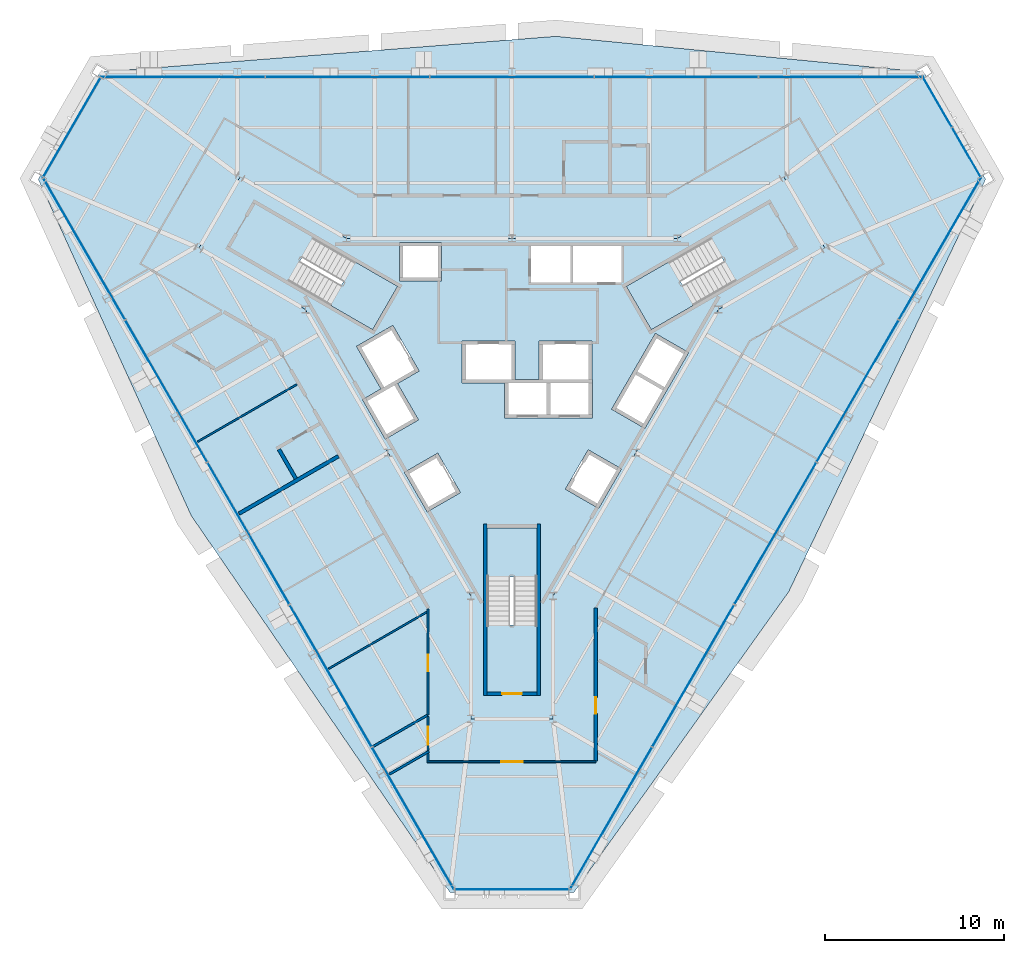
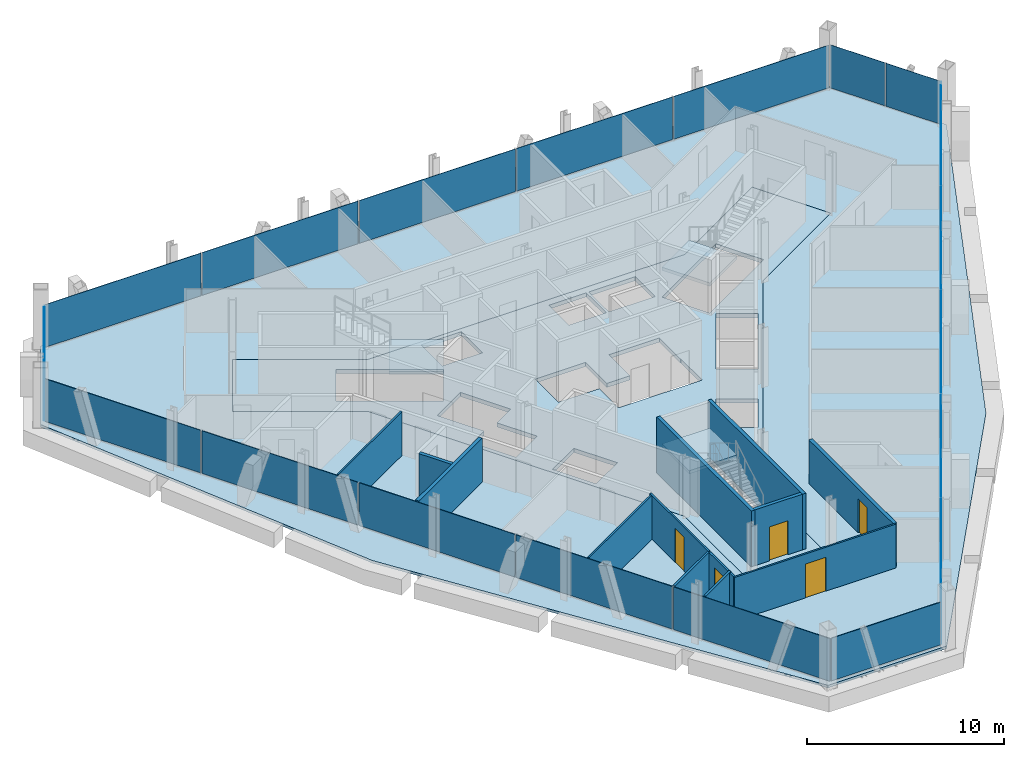
# One storey, part 7 of 13: 19 plates, 14 walls, 5 doors, 5 slabs, 5 openings, 9 elements without a shape of their own.
"""IFC4 building model written with IfcOpenShell, lengths in metres."""

from ifc_helpers import new_model, si_unit, direction, frame, frame_2d, origin, origin_2d, place, context, subcontext, project, spatial, polyline, rectangle, outline, extrude, material, layer, layer_set, type_object, element, fill, aggregate, save


model = new_model("IFC4")

# Units and contexts
model_context = context("Model", 3, precision=1e-05, world=origin(), true_north=direction((0.0, 1.0)))
body_context = subcontext(model_context, "Body", "Model", "MODEL_VIEW")
ifc_project = project(units=[si_unit("LENGTHUNIT", "METRE"), si_unit("AREAUNIT", "SQUARE_METRE"), si_unit("VOLUMEUNIT", "CUBIC_METRE"), si_unit("PLANEANGLEUNIT", "RADIAN"), si_unit("MASSUNIT", "GRAM", prefix="KILO")], contexts=[model_context])

# Site, building, storey
site_placement = place(None, origin())
site = spatial("IfcSite", under=ifc_project, at=site_placement, CompositionType="ELEMENT")
building_placement = place(site_placement, origin())
building = spatial("IfcBuilding", under=site, at=building_placement, Name="Verrane Prism Tower", CompositionType="ELEMENT")
storey_placement = place(building_placement, frame((0.0, 0.0, 163.60009765625)))
storey = spatial("IfcBuildingStorey", under=building, at=storey_placement, Name="L40", CompositionType="ELEMENT", Elevation=163.60009765625)

# Slabs
ifc_material_1 = material(Name="Concrete C35/45", Category="concrete")
ifc_layer_1 = layer(ifc_material_1, 0.159912109375)
ifc_layer_set_1 = layer_set([ifc_layer_1], Name="Composite floor slab")
slab_type_1 = type_object("IfcSlabType", Name="Composite floor slab", PredefinedType="FLOOR", material=ifc_layer_set_1)
slab_1_placement = place(storey_placement, frame((0.0, 0.0, -0.16015625)))
element("IfcSlab", 1, at=slab_1_placement, inside=storey, type_object=slab_type_1, Name="Floor slab L40", PredefinedType="FLOOR", context=body_context, shape_type="SweptSolid", body=[
    extrude(outline(polyline([(15.49365234375, -11.7841796875), (3.467041015625, -28.614990234375), (-3.467041015625, -28.614990234375), (-17.9521484375, -7.52587890625), (-26.514892578125, 11.304931640625), (-23.0478515625, 17.31005859375), (2.45849609375, 19.31005859375), (23.0478515625, 17.31005859375), (26.514892578125, 11.304931640625), (15.49365234375, -11.7841796875)]), holes=[polyline([(17.52001953125, 7.4599609375), (15.219970703125, 11.43994140625), (9.260009765625, 8.0), (0.0, 8.0), (-9.260009765625, 8.0), (-15.219970703125, 11.43994140625), (-17.52001953125, 7.4599609375), (-11.56005859375, 4.02001953125), (-6.929931640625, -4.0), (-2.300048828125, -12.02001953125), (-2.300048828125, -18.89990234375), (2.300048828125, -18.89990234375), (2.300048828125, -12.02001953125), (6.929931640625, -4.0), (11.56005859375, 4.02001953125), (17.52001953125, 7.4599609375)])]), origin(), (0.0, 0.0, 1.0), 0.16015625),
])
ifc_material_2 = material(Name="Concrete C40/50", Category="concrete")
ifc_layer_2 = layer(ifc_material_2, 0.25)
ifc_layer_set_2 = layer_set([ifc_layer_2], Name="Core floor slab 250 concrete C40/50")
slab_type_2 = type_object("IfcSlabType", Name="Core floor slab 250 concrete C40/50", PredefinedType="FLOOR", material=ifc_layer_set_2)
slab_2_placement = place(storey_placement, frame((0.0, 0.0, -0.25)))
element("IfcSlab", 2, at=slab_2_placement, inside=storey, type_object=slab_type_2, Name="Core floor L40", PredefinedType="FLOOR", context=body_context, shape_type="SweptSolid", body=[
    extrude(outline(polyline([(11.56005859375, 4.02001953125), (17.52001953125, 7.4599609375), (15.219970703125, 11.43994140625), (9.260009765625, 8.0), (0.0, 8.0), (-9.260009765625, 8.0), (-15.219970703125, 11.43994140625), (-17.52001953125, 7.4599609375), (-11.56005859375, 4.02001953125), (-6.929931640625, -4.0), (-2.300048828125, -12.02001953125), (-2.300048828125, -18.89990234375), (2.300048828125, -18.89990234375), (2.300048828125, -12.02001953125), (6.929931640625, -4.0), (11.56005859375, 4.02001953125)]), holes=[polyline([(1.39990234375, -8.199951171875), (1.39990234375, -13.639892578125), (-1.39990234375, -13.639892578125), (-1.39990234375, -8.199951171875), (1.39990234375, -8.199951171875)]), polyline([(-2.881103515625, -6.22998046875), (-4.742919921875, -7.304931640625), (-6.01806640625, -5.096923828125), (-4.156005859375, -4.02197265625), (-2.881103515625, -6.22998046875)]), polyline([(-7.801025390625, 2.887939453125), (-12.512939453125, 5.60791015625), (-11.113037109375, 8.031982421875), (-6.40087890625, 5.31201171875), (-7.801025390625, 2.887939453125)]), polyline([(-6.284912109375, 5.610107421875), (-6.284912109375, 7.760009765625), (-3.93505859375, 7.760009765625), (-3.93505859375, 5.610107421875), (-6.284912109375, 5.610107421875)]), polyline([(4.26611328125, -3.8310546875), (6.1279296875, -4.906005859375), (4.85302734375, -7.114990234375), (2.990966796875, -6.0400390625), (4.26611328125, -3.8310546875)]), polyline([(7.43798828125, -2.636962890625), (5.575927734375, -1.56201171875), (8.02587890625, 2.680908203125), (9.887939453125, 1.60595703125), (7.43798828125, -2.636962890625)]), polyline([(0.1650390625, 0.10009765625), (1.52490234375, 0.10009765625), (1.52490234375, 2.25), (4.47509765625, 2.25), (4.47509765625, 0.10009765625), (4.4951171875, 0.10009765625), (4.4951171875, -2.050048828125), (-0.405029296875, -2.050048828125), (-0.405029296875, -0.10009765625), (-2.784912109375, -0.10009765625), (-2.784912109375, 2.25), (0.1650390625, 2.25), (0.1650390625, 0.10009765625)]), polyline([(6.40087890625, 5.31201171875), (11.113037109375, 8.031982421875), (12.512939453125, 5.60791015625), (7.801025390625, 2.887939453125), (6.40087890625, 5.31201171875)]), polyline([(1.074951171875, 5.534912109375), (1.074951171875, 7.56005859375), (3.264892578125, 7.56005859375), (3.264892578125, 5.534912109375), (1.074951171875, 5.534912109375)]), polyline([(3.4150390625, 7.56005859375), (6.125, 7.56005859375), (6.125, 5.534912109375), (3.4150390625, 5.534912109375), (3.4150390625, 7.56005859375)]), polyline([(-5.23095703125, -2.159912109375), (-7.093017578125, -3.235107421875), (-8.367919921875, -1.02587890625), (-7.3291015625, -0.426025390625), (-8.7041015625, 1.955078125), (-6.66796875, 3.1298828125), (-5.193115234375, 0.574951171875), (-6.406005859375, -0.125), (-5.23095703125, -2.159912109375)])]), origin(), (0.0, 0.0, 1.0), 0.25),
])

# Curtain wall, plates
ifc_material_3 = material(Name="Aluminium framed insulated glazing", Category="aluminium")
curtain_wall_type_1 = type_object("IfcCurtainWallType", Name="Curtain wall CW-C 4200 module", PredefinedType="NOTDEFINED", material=ifc_material_3)
curtain_wall_1_placement = place(storey_placement, origin())
curtain_wall_1 = element("IfcCurtainWall", 3, at=curtain_wall_1_placement, inside=storey, type_object=curtain_wall_type_1, Name="Glazed curtain wall north-east corner L40", PredefinedType="NOTDEFINED")
ifc_material_4 = material(Name="Low-iron insulating glass unit", Category="glass")
ifc_layer_3 = layer(ifc_material_4, 0.02392578125)
ifc_layer_set_3 = layer_set([ifc_layer_3], Name="Glazing panel IGU 24")
plate_type_1 = type_object("IfcPlateType", Name="Glazing panel IGU 24", PredefinedType="CURTAIN_PANEL", material=ifc_layer_set_3)
plate_1_placement = place(storey_placement, frame((25.43310546875, 12.823486328125, 0.0498046875), z_axis=(0.0, 0.0, 1.0), x_axis=(-0.50000590643, 0.866021993679, 0.0)))
plate_1 = element("IfcPlate", 4, at=plate_1_placement, type_object=plate_type_1, Name="CW39.1 panel 1", PredefinedType="CURTAIN_PANEL", context=body_context, shape_type="SweptSolid", body=[
    extrude(rectangle(XDim=3.17236328125, YDim=0.02392578125, at=origin_2d()), origin(), (0.0, 0.0, 1.0), 2.662841796875),
])
plate_2_placement = place(storey_placement, frame((23.8095703125, 15.6357421875, 0.0498046875), z_axis=(0.0, 0.0, 1.0), x_axis=(-0.50000590643, 0.866021993679, 0.0)))
plate_2 = element("IfcPlate", 5, at=plate_2_placement, type_object=plate_type_1, Name="CW39.1 panel 2", PredefinedType="CURTAIN_PANEL", context=body_context, shape_type="SweptSolid", body=[
    extrude(rectangle(XDim=3.22216796875, YDim=0.02392578125, at=origin_2d()), origin(), (0.0, 0.0, 1.0), 2.662841796875),
])
aggregate(curtain_wall_1, [plate_1, plate_2])

ifc_material_5 = material(Name="Aluminium framed insulated glazing", Category="aluminium")
curtain_wall_type_2 = type_object("IfcCurtainWallType", Name="Curtain wall CW-A 8400 module", PredefinedType="NOTDEFINED", material=ifc_material_5)
curtain_wall_2_placement = place(storey_placement, origin())
curtain_wall_2 = element("IfcCurtainWall", 6, at=curtain_wall_2_placement, inside=storey, type_object=curtain_wall_type_2, Name="Glazed curtain wall north face L40", PredefinedType="NOTDEFINED")
ifc_material_6 = material(Name="Low-iron insulating glass unit", Category="glass")
ifc_layer_4 = layer(ifc_material_6, 0.031982421875)
ifc_layer_set_4 = layer_set([ifc_layer_4], Name="Glazing panel IGU 32")
plate_type_2 = type_object("IfcPlateType", Name="Glazing panel IGU 32", PredefinedType="CURTAIN_PANEL", material=ifc_layer_set_4)
plate_3_placement = place(storey_placement, frame((18.3857421875, 17.031005859375, 0.06982421875), z_axis=(0.0, 0.0, 1.0), x_axis=(-1.0, 0.0, 0.0)))
plate_3 = element("IfcPlate", 7, at=plate_3_placement, type_object=plate_type_2, Name="CW39.2 panel 1", PredefinedType="CURTAIN_PANEL", context=body_context, shape_type="SweptSolid", body=[
    extrude(rectangle(XDim=9.0966796875, YDim=0.031982421875, at=origin_2d()), origin(), (0.0, 0.0, 1.0), 2.642822265625),
])
plate_4_placement = place(storey_placement, frame((9.20166015625, 17.031005859375, 0.06982421875), z_axis=(0.0, 0.0, 1.0), x_axis=(-1.0, 0.0, 0.0)))
plate_4 = element("IfcPlate", 8, at=plate_4_placement, type_object=plate_type_2, Name="CW39.2 panel 2", PredefinedType="CURTAIN_PANEL", context=body_context, shape_type="SweptSolid", body=[
    extrude(rectangle(XDim=9.131591796875, YDim=0.031982421875, at=origin_2d()), origin(), (0.0, 0.0, 1.0), 2.642822265625),
])
plate_5_placement = place(storey_placement, frame((0.0, 17.031005859375, 0.06982421875), z_axis=(0.0, 0.0, 1.0), x_axis=(-1.0, 0.0, 0.0)))
plate_5 = element("IfcPlate", 9, at=plate_5_placement, type_object=plate_type_2, Name="CW39.2 panel 3", PredefinedType="CURTAIN_PANEL", context=body_context, shape_type="SweptSolid", body=[
    extrude(rectangle(XDim=9.131591796875, YDim=0.031982421875, at=origin_2d()), origin(), (0.0, 0.0, 1.0), 2.642822265625),
])
plate_6_placement = place(storey_placement, frame((-9.20166015625, 17.031005859375, 0.06982421875), z_axis=(0.0, 0.0, 1.0), x_axis=(-1.0, 0.0, 0.0)))
plate_6 = element("IfcPlate", 10, at=plate_6_placement, type_object=plate_type_2, Name="CW39.2 panel 4", PredefinedType="CURTAIN_PANEL", context=body_context, shape_type="SweptSolid", body=[
    extrude(rectangle(XDim=9.131591796875, YDim=0.031982421875, at=origin_2d()), origin(), (0.0, 0.0, 1.0), 2.642822265625),
])
plate_7_placement = place(storey_placement, frame((-18.420654296875, 17.031005859375, 0.06982421875), z_axis=(0.0, 0.0, 1.0), x_axis=(-1.0, 0.0, 0.0)))
plate_7 = element("IfcPlate", 11, at=plate_7_placement, type_object=plate_type_2, Name="CW39.2 panel 5", PredefinedType="CURTAIN_PANEL", context=body_context, shape_type="SweptSolid", body=[
    extrude(rectangle(XDim=9.16650390625, YDim=0.031982421875, at=origin_2d()), origin(), (0.0, 0.0, 1.0), 2.642822265625),
])
aggregate(curtain_wall_2, [plate_3, plate_4, plate_5, plate_6, plate_7])

# Curtain wall, plate
curtain_wall_3_placement = place(storey_placement, origin())
curtain_wall_3 = element("IfcCurtainWall", 12, at=curtain_wall_3_placement, inside=storey, type_object=curtain_wall_type_2, Name="Glazed curtain wall north-west corner L40", PredefinedType="NOTDEFINED")
plate_8_placement = place(storey_placement, frame((-24.645263671875, 14.1884765625, 0.06982421875), z_axis=(0.0, 0.0, 1.0), x_axis=(-0.50000590643, -0.866021993679, 0.0)))
plate_8 = element("IfcPlate", 13, at=plate_8_placement, type_object=plate_type_2, Name="CW39.3 panel 1", PredefinedType="CURTAIN_PANEL", context=body_context, shape_type="SweptSolid", body=[
    extrude(rectangle(XDim=6.424560546875, YDim=0.031982421875, at=origin_2d()), origin(), (0.0, 0.0, 1.0), 2.642822265625),
])
aggregate(curtain_wall_3, [plate_8])

# Curtain wall, plates
curtain_wall_4_placement = place(storey_placement, origin())
curtain_wall_4 = element("IfcCurtainWall", 14, at=curtain_wall_4_placement, inside=storey, type_object=curtain_wall_type_2, Name="Glazed curtain wall south-west face L40", PredefinedType="NOTDEFINED")
plate_9_placement = place(storey_placement, frame((-23.942138671875, 7.406982421875, 0.06982421875), z_axis=(0.0, 0.0, 1.0), x_axis=(0.499999028499, -0.86602596468, 0.0)))
plate_9 = element("IfcPlate", 15, at=plate_9_placement, type_object=plate_type_2, Name="CW39.4 panel 1", PredefinedType="CURTAIN_PANEL", context=body_context, shape_type="SweptSolid", body=[
    extrude(rectangle(XDim=9.0966796875, YDim=0.031982421875, at=origin_2d()), origin(), (0.0, 0.0, 1.0), 2.642822265625),
])
plate_10_placement = place(storey_placement, frame((-19.35009765625, -0.546630859375, 0.06982421875), z_axis=(0.0, 0.0, 1.0), x_axis=(0.499999028499, -0.86602596468, 0.0)))
plate_10 = element("IfcPlate", 16, at=plate_10_placement, type_object=plate_type_2, Name="CW39.4 panel 2", PredefinedType="CURTAIN_PANEL", context=body_context, shape_type="SweptSolid", body=[
    extrude(rectangle(XDim=9.131591796875, YDim=0.031982421875, at=origin_2d()), origin(), (0.0, 0.0, 1.0), 2.642822265625),
])
plate_11_placement = place(storey_placement, frame((-14.749267578125, -8.515380859375, 0.06982421875), z_axis=(0.0, 0.0, 1.0), x_axis=(0.499999028499, -0.86602596468, 0.0)))
plate_11 = element("IfcPlate", 17, at=plate_11_placement, type_object=plate_type_2, Name="CW39.4 panel 3", PredefinedType="CURTAIN_PANEL", context=body_context, shape_type="SweptSolid", body=[
    extrude(rectangle(XDim=9.131591796875, YDim=0.031982421875, at=origin_2d()), origin(), (0.0, 0.0, 1.0), 2.642822265625),
])
plate_12_placement = place(storey_placement, frame((-10.1484375, -16.484375, 0.06982421875), z_axis=(0.0, 0.0, 1.0), x_axis=(0.499999028499, -0.86602596468, 0.0)))
plate_12 = element("IfcPlate", 18, at=plate_12_placement, type_object=plate_type_2, Name="CW39.4 panel 4", PredefinedType="CURTAIN_PANEL", context=body_context, shape_type="SweptSolid", body=[
    extrude(rectangle(XDim=9.131591796875, YDim=0.031982421875, at=origin_2d()), origin(), (0.0, 0.0, 1.0), 2.642822265625),
])
plate_13_placement = place(storey_placement, frame((-5.5390625, -24.46826171875, 0.06982421875), z_axis=(0.0, 0.0, 1.0), x_axis=(0.499999028499, -0.86602596468, 0.0)))
plate_13 = element("IfcPlate", 19, at=plate_13_placement, type_object=plate_type_2, Name="CW39.4 panel 5", PredefinedType="CURTAIN_PANEL", context=body_context, shape_type="SweptSolid", body=[
    extrude(rectangle(XDim=9.16650390625, YDim=0.031982421875, at=origin_2d()), origin(), (0.0, 0.0, 1.0), 2.642822265625),
])
aggregate(curtain_wall_4, [plate_9, plate_10, plate_11, plate_12, plate_13])

# Curtain wall, plate
curtain_wall_5_placement = place(storey_placement, origin())
curtain_wall_5 = element("IfcCurtainWall", 20, at=curtain_wall_5_placement, inside=storey, type_object=curtain_wall_type_2, Name="Glazed curtain wall south corner L40", PredefinedType="NOTDEFINED")
plate_14_placement = place(storey_placement, frame((0.034912109375, -28.4375, 0.06982421875), z_axis=(0.0, 0.0, 1.0), x_axis=(1.0, 0.0, 0.0)))
plate_14 = element("IfcPlate", 21, at=plate_14_placement, type_object=plate_type_2, Name="CW39.5 panel 1", PredefinedType="CURTAIN_PANEL", context=body_context, shape_type="SweptSolid", body=[
    extrude(rectangle(XDim=6.424560546875, YDim=0.031982421875, at=origin_2d()), origin(), (0.0, 0.0, 1.0), 2.642822265625),
])
aggregate(curtain_wall_5, [plate_14])

# Curtain wall, plates
curtain_wall_6_placement = place(storey_placement, origin())
curtain_wall_6 = element("IfcCurtainWall", 22, at=curtain_wall_6_placement, inside=storey, type_object=curtain_wall_type_2, Name="Glazed curtain wall south-east face L40", PredefinedType="NOTDEFINED")
plate_15_placement = place(storey_placement, frame((5.556396484375, -24.43798828125, 0.06982421875), z_axis=(0.0, 0.0, 1.0), x_axis=(0.499999028499, 0.86602596468, 0.0)))
plate_15 = element("IfcPlate", 23, at=plate_15_placement, type_object=plate_type_2, Name="CW39.6 panel 1", PredefinedType="CURTAIN_PANEL", context=body_context, shape_type="SweptSolid", body=[
    extrude(rectangle(XDim=9.0966796875, YDim=0.031982421875, at=origin_2d()), origin(), (0.0, 0.0, 1.0), 2.642822265625),
])
plate_16_placement = place(storey_placement, frame((10.1484375, -16.484375, 0.06982421875), z_axis=(0.0, 0.0, 1.0), x_axis=(0.499999028499, 0.86602596468, 0.0)))
plate_16 = element("IfcPlate", 24, at=plate_16_placement, type_object=plate_type_2, Name="CW39.6 panel 2", PredefinedType="CURTAIN_PANEL", context=body_context, shape_type="SweptSolid", body=[
    extrude(rectangle(XDim=9.131591796875, YDim=0.031982421875, at=origin_2d()), origin(), (0.0, 0.0, 1.0), 2.642822265625),
])
plate_17_placement = place(storey_placement, frame((14.749267578125, -8.515380859375, 0.06982421875), z_axis=(0.0, 0.0, 1.0), x_axis=(0.499999028499, 0.86602596468, 0.0)))
plate_17 = element("IfcPlate", 25, at=plate_17_placement, type_object=plate_type_2, Name="CW39.6 panel 3", PredefinedType="CURTAIN_PANEL", context=body_context, shape_type="SweptSolid", body=[
    extrude(rectangle(XDim=9.131591796875, YDim=0.031982421875, at=origin_2d()), origin(), (0.0, 0.0, 1.0), 2.642822265625),
])
plate_18_placement = place(storey_placement, frame((19.35009765625, -0.546630859375, 0.06982421875), z_axis=(0.0, 0.0, 1.0), x_axis=(0.499999028499, 0.86602596468, 0.0)))
plate_18 = element("IfcPlate", 26, at=plate_18_placement, type_object=plate_type_2, Name="CW39.6 panel 4", PredefinedType="CURTAIN_PANEL", context=body_context, shape_type="SweptSolid", body=[
    extrude(rectangle(XDim=9.131591796875, YDim=0.031982421875, at=origin_2d()), origin(), (0.0, 0.0, 1.0), 2.642822265625),
])
plate_19_placement = place(storey_placement, frame((23.959716796875, 7.437255859375, 0.06982421875), z_axis=(0.0, 0.0, 1.0), x_axis=(0.499999028499, 0.86602596468, 0.0)))
plate_19 = element("IfcPlate", 27, at=plate_19_placement, type_object=plate_type_2, Name="CW39.6 panel 5", PredefinedType="CURTAIN_PANEL", context=body_context, shape_type="SweptSolid", body=[
    extrude(rectangle(XDim=9.16650390625, YDim=0.031982421875, at=origin_2d()), origin(), (0.0, 0.0, 1.0), 2.642822265625),
])
aggregate(curtain_wall_6, [plate_15, plate_16, plate_17, plate_18, plate_19])

# Stair, slab
ifc_material_7 = material(Name="Concrete C40/50", Category="concrete")
stair_type = type_object("IfcStairType", Name="Exit stair 1300 dog-leg precast concrete C40/50", PredefinedType="HALF_TURN_STAIR", material=ifc_material_7)
stair_1_placement = place(storey_placement, origin())
stair_1 = element("IfcStair", 28, at=stair_1_placement, inside=storey, type_object=stair_type, Name="Stair 1 L40", PredefinedType="HALF_TURN_STAIR")
ifc_material_8 = material(Name="Concrete C40/50", Category="concrete")
ifc_layer_5 = layer(ifc_material_8, 0.199951171875)
ifc_layer_set_5 = layer_set([ifc_layer_5], Name="Stair landing 200 precast concrete C40/50")
slab_type_3 = type_object("IfcSlabType", Name="Stair landing 200 precast concrete C40/50", PredefinedType="LANDING", material=ifc_layer_set_5)
slab_3_placement = place(storey_placement, frame((0.0, 0.0, 1.64990234375)))
slab_3 = element("IfcSlab", 29, at=slab_3_placement, type_object=slab_type_3, Name="Stair 1 landing 1", PredefinedType="LANDING", context=body_context, shape_type="SweptSolid", body=[
    extrude(outline(polyline([(8.791748046875, 6.6923828125), (6.4013671875, 5.3125), (7.801513671875, 2.887451171875), (10.191650390625, 4.267578125), (8.791748046875, 6.6923828125)])), origin(), (0.0, 0.0, 1.0), 0.199951171875),
])
aggregate(stair_1, [slab_3])

stair_2_placement = place(storey_placement, origin())
stair_2 = element("IfcStair", 30, at=stair_2_placement, inside=storey, type_object=stair_type, Name="Stair 2 L40", PredefinedType="HALF_TURN_STAIR")
slab_4_placement = place(storey_placement, frame((0.0, 0.0, 1.64990234375)))
slab_4 = element("IfcSlab", 31, at=slab_4_placement, type_object=slab_type_3, Name="Stair 2 landing 1", PredefinedType="LANDING", context=body_context, shape_type="SweptSolid", body=[
    extrude(outline(polyline([(-10.191650390625, 4.267578125), (-7.801513671875, 2.887451171875), (-6.4013671875, 5.3125), (-8.791748046875, 6.6923828125), (-10.191650390625, 4.267578125)])), origin(), (0.0, 0.0, 1.0), 0.199951171875),
])
aggregate(stair_2, [slab_4])

stair_3_placement = place(storey_placement, origin())
stair_3 = element("IfcStair", 32, at=stair_3_placement, inside=storey, type_object=stair_type, Name="Stair 3 L40", PredefinedType="HALF_TURN_STAIR")
slab_5_placement = place(storey_placement, frame((0.0, 0.0, 1.64990234375)))
slab_5 = element("IfcSlab", 33, at=slab_5_placement, type_object=slab_type_3, Name="Stair 3 landing 1", PredefinedType="LANDING", context=body_context, shape_type="SweptSolid", body=[
    extrude(outline(polyline([(1.39990234375, -10.9599609375), (1.39990234375, -8.199951171875), (-1.39990234375, -8.199951171875), (-1.39990234375, -10.9599609375), (1.39990234375, -10.9599609375)])), origin(), (0.0, 0.0, 1.0), 0.199951171875),
])
aggregate(stair_3, [slab_5])

# Wall, opening, door
ifc_material_9 = material(Name="Concrete C40/50", Category="concrete")
ifc_layer_6 = layer(ifc_material_9, 0.199951171875)
ifc_layer_set_6 = layer_set([ifc_layer_6], Name="CW-200 stair core wall concrete C40/50 3 h")
wall_type_1 = type_object("IfcWallType", Name="CW-200 stair core wall concrete C40/50 3 h", PredefinedType="PARTITIONING", material=ifc_layer_set_6)
wall_1_placement = place(storey_placement, frame((-1.39990234375, -17.5, 0.0), z_axis=(0.0, 0.0, 1.0), x_axis=(1.0, 0.0, 0.0)))
wall_1 = element("IfcWall", 34, at=wall_1_placement, inside=storey, type_object=wall_type_1, Name="Stair 3 enclosure wall", PredefinedType="PARTITIONING", context=body_context, shape_type="SweptSolid", body=[
    extrude(rectangle(XDim=2.7998046875, YDim=0.199951171875, at=frame_2d((1.39990234375, 0.0))), origin(), (0.0, 0.0, 1.0), 3.449951171875),
])
opening_1_placement = place(wall_1_placement, frame((0.85009765625, 0.0, 0.0)))
opening_1 = element("IfcOpeningElement", 35, at=opening_1_placement, cuts=wall_1, Name="Opening D39502", PredefinedType="OPENING", context=body_context, shape_type="SweptSolid", body=[
    extrude(rectangle(XDim=1.10009765625, YDim=2.10009765625, at=frame_2d((0.550048828125, 1.050048828125))), frame((0.0, 0.10986328125, 0.0), z_axis=(0.0, -1.0, 0.0), x_axis=(1.0, 0.0, 0.0)), (0.0, 0.0, 1.0), 0.219970703125),
])
ifc_material_10 = material(Name="Timber veneered door leaf", Category="wood")
door_type_1 = type_object("IfcDoorType", Name="DR-1100x2100 FD90 single leaf stair", OperationType="NOTDEFINED", PredefinedType="DOOR", material=ifc_material_10)
door_1_placement = place(opening_1_placement, origin())
door_1 = element("IfcDoor", 36, at=door_1_placement, inside=storey, type_object=door_type_1, Name="Stair 3 door", OperationType="SINGLE_SWING_LEFT", OverallHeight=2.10009765625, OverallWidth=1.10009765625, PredefinedType="DOOR", context=body_context, shape_type="SweptSolid", body=[
    extrude(rectangle(XDim=1.10009765625, YDim=2.10009765625, at=frame_2d((0.550048828125, 1.050048828125))), frame((0.0, 0.02490234375, 0.0), z_axis=(0.0, -1.0, 0.0), x_axis=(1.0, 0.0, 0.0)), (0.0, 0.0, 1.0), 0.050048828125),
])
fill(opening_1, door_1)

# Walls
for number, where, z_axis, x_axis, name in (
    (37, (1.5, -8.0, 0.0), (0.0, 0.0, 1.0), (0.0, -1.0, 0.0), "Stair 3 enclosure wall"),
    (38, (-1.5, -8.0, 0.0), (0.0, 0.0, 1.0), (0.0, -1.0, 0.0), "Stair 3 enclosure wall"),
):
    element("IfcWall", number, at=place(storey_placement, frame(where, z_axis=z_axis, x_axis=x_axis)), inside=storey, type_object=wall_type_1, Name=name, PredefinedType="PARTITIONING", context=body_context, shape_type="SweptSolid", body=[
        extrude(rectangle(XDim=9.60009765625, YDim=0.199951171875, at=frame_2d((4.800048828125, 0.0))), origin(), (0.0, 0.0, 1.0), 3.449951171875),
    ])
ifc_material_11 = material(Name="Gypsum board partition", Category="other")
ifc_layer_7 = layer(ifc_material_11, 0.10009765625)
ifc_layer_set_7 = layer_set([ifc_layer_7], Name="PW-100 room partition")
wall_type_2 = type_object("IfcWallType", Name="PW-100 room partition", PredefinedType="PARTITIONING", material=ifc_layer_set_7)
wall_2_placement = place(storey_placement, frame((-17.599853515625, -3.385986328125, 0.0), z_axis=(0.0, 0.0, 1.0), x_axis=(0.865994725265, 0.50005313299, 0.0)))
element("IfcWall", 39, at=wall_2_placement, inside=storey, type_object=wall_type_2, Name="Room partition 006", PredefinedType="PARTITIONING", context=body_context, shape_type="SweptSolid", body=[
    extrude(rectangle(XDim=6.433349609375, YDim=0.10009765625, at=frame_2d((3.216796875, 0.0))), origin(), (0.0, 0.0, 1.0), 2.712890625),
])
wall_3_placement = place(storey_placement, frame((-10.264404296875, -16.091796875, 0.0), z_axis=(0.0, 0.0, 1.0), x_axis=(0.86602074738, 0.500008065043, 0.0)))
element("IfcWall", 40, at=wall_3_placement, inside=storey, type_object=wall_type_2, Name="Room partition 016", PredefinedType="PARTITIONING", context=body_context, shape_type="SweptSolid", body=[
    extrude(rectangle(XDim=6.3388671875, YDim=0.10009765625, at=frame_2d((3.16943359375, 0.0))), origin(), (0.0, 0.0, 1.0), 2.712890625),
])
wall_4_placement = place(storey_placement, frame((-4.699951171875, -21.25, 0.0), z_axis=(0.0, 0.0, 1.0), x_axis=(0.0, 1.0, 0.0)))
element("IfcWall", 41, at=wall_4_placement, inside=storey, type_object=wall_type_2, Name="Room partition 021", PredefinedType="PARTITIONING", context=body_context, shape_type="SweptSolid", body=[
    extrude(rectangle(XDim=0.403076171875, YDim=0.10009765625, at=frame_2d((0.20166015625, 0.0))), origin(), (0.0, 0.0, 1.0), 2.712890625),
])

# Wall, opening, door
wall_5_placement = place(storey_placement, frame((4.699951171875, -21.300048828125, 0.0), z_axis=(0.0, 0.0, 1.0), x_axis=(-1.0, 0.0, 0.0)))
wall_5 = element("IfcWall", 42, at=wall_5_placement, inside=storey, type_object=wall_type_2, Name="Room partition 022", PredefinedType="PARTITIONING", context=body_context, shape_type="SweptSolid", body=[
    extrude(rectangle(XDim=9.449951171875, YDim=0.10009765625, at=frame_2d((4.72509765625, 0.0))), origin(), (0.0, 0.0, 1.0), 2.712890625),
])
opening_2_placement = place(wall_5_placement, frame((4.10009765625, 0.0, 0.0)))
opening_2 = element("IfcOpeningElement", 43, at=opening_2_placement, cuts=wall_5, Name="Opening D39025", PredefinedType="OPENING", context=body_context, shape_type="SweptSolid", body=[
    extrude(rectangle(XDim=1.199951171875, YDim=2.10009765625, at=frame_2d((0.60009765625, 1.050048828125))), frame((0.0, 0.06005859375, 0.0), z_axis=(0.0, -1.0, 0.0), x_axis=(1.0, 0.0, 0.0)), (0.0, 0.0, 1.0), 0.1201171875),
])
ifc_material_12 = material(Name="Timber veneered door leaf", Category="wood")
door_type_2 = type_object("IfcDoorType", Name="DR-1200x2100 single leaf unit", OperationType="NOTDEFINED", PredefinedType="DOOR", material=ifc_material_12)
door_2_placement = place(opening_2_placement, origin())
door_2 = element("IfcDoor", 44, at=door_2_placement, inside=storey, type_object=door_type_2, Name="Living And Dining Room door", OperationType="SINGLE_SWING_RIGHT", OverallHeight=2.10009765625, OverallWidth=1.199951171875, PredefinedType="DOOR", context=body_context, shape_type="SweptSolid", body=[
    extrude(rectangle(XDim=1.199951171875, YDim=2.10009765625, at=frame_2d((0.60009765625, 1.050048828125))), frame((0.0, 0.02490234375, 0.0), z_axis=(0.0, -1.0, 0.0), x_axis=(1.0, 0.0, 0.0)), (0.0, 0.0, 1.0), 0.050048828125),
])
fill(opening_2, door_2)

wall_6_placement = place(storey_placement, frame((-4.699951171875, -18.6689453125, 0.0), z_axis=(0.0, 0.0, 1.0), x_axis=(0.0, 1.0, 0.0)))
wall_6 = element("IfcWall", 45, at=wall_6_placement, inside=storey, type_object=wall_type_2, Name="Room partition 024", PredefinedType="PARTITIONING", context=body_context, shape_type="SweptSolid", body=[
    extrude(rectangle(XDim=5.9208984375, YDim=0.10009765625, at=frame_2d((2.96044921875, 0.0))), origin(), (0.0, 0.0, 1.0), 2.712890625),
])
opening_3_placement = place(wall_6_placement, frame((2.449951171875, 0.0, 0.0)))
opening_3 = element("IfcOpeningElement", 46, at=opening_3_placement, cuts=wall_6, Name="Opening D39024", PredefinedType="OPENING", context=body_context, shape_type="SweptSolid", body=[
    extrude(rectangle(XDim=0.89990234375, YDim=2.10009765625, at=frame_2d((0.449951171875, 1.050048828125))), frame((0.0, 0.06005859375, 0.0), z_axis=(0.0, -1.0, 0.0), x_axis=(1.0, 0.0, 0.0)), (0.0, 0.0, 1.0), 0.1201171875),
])
ifc_material_13 = material(Name="Timber veneered door leaf", Category="wood")
door_type_3 = type_object("IfcDoorType", Name="DR-900x2100 single leaf unit", OperationType="NOTDEFINED", PredefinedType="DOOR", material=ifc_material_13)
door_3_placement = place(opening_3_placement, origin())
door_3 = element("IfcDoor", 47, at=door_3_placement, inside=storey, type_object=door_type_3, Name="Study door", OperationType="SINGLE_SWING_RIGHT", OverallHeight=2.10009765625, OverallWidth=0.89990234375, PredefinedType="DOOR", context=body_context, shape_type="SweptSolid", body=[
    extrude(rectangle(XDim=0.89990234375, YDim=2.10009765625, at=frame_2d((0.449951171875, 1.050048828125))), frame((0.0, 0.02490234375, 0.0), z_axis=(0.0, -1.0, 0.0), x_axis=(1.0, 0.0, 0.0)), (0.0, 0.0, 1.0), 0.050048828125),
])
fill(opening_3, door_3)

# Walls
ifc_material_14 = material(Name="Gypsum board partition", Category="other")
ifc_layer_8 = layer(ifc_material_14, 0.125)
ifc_layer_set_8 = layer_set([ifc_layer_8], Name="PW-125 corridor wall 1 h")
wall_type_3 = type_object("IfcWallType", Name="PW-125 corridor wall 1 h", PredefinedType="PARTITIONING", material=ifc_layer_set_8)
wall_7_placement = place(storey_placement, frame((-7.7578125, -20.433837890625, 0.0), z_axis=(0.0, 0.0, 1.0), x_axis=(0.866090019653, 0.499888065328, 0.0)))
element("IfcWall", 48, at=wall_7_placement, inside=storey, type_object=wall_type_3, Name="Corridor wall 018", PredefinedType="PARTITIONING", context=body_context, shape_type="SweptSolid", body=[
    extrude(rectangle(XDim=3.488037109375, YDim=0.125, at=frame_2d((1.744140625, 0.0))), origin(), (0.0, 0.0, 1.0), 2.712890625),
])
wall_8_placement = place(storey_placement, frame((-6.857666015625, -21.992919921875, 0.0), z_axis=(0.0, 0.0, 1.0), x_axis=(0.865992952931, 0.500056202316, 0.0)))
element("IfcWall", 49, at=wall_8_placement, inside=storey, type_object=wall_type_3, Name="Corridor wall 019", PredefinedType="PARTITIONING", context=body_context, shape_type="SweptSolid", body=[
    extrude(rectangle(XDim=2.553955078125, YDim=0.125, at=frame_2d((1.27685546875, 0.0))), origin(), (0.0, 0.0, 1.0), 2.712890625),
])

# Wall, opening, door
wall_9_placement = place(storey_placement, frame((-4.699951171875, -18.77392578125, 0.0), z_axis=(0.0, 0.0, 1.0), x_axis=(0.0, -1.0, 0.0)))
wall_9 = element("IfcWall", 50, at=wall_9_placement, inside=storey, type_object=wall_type_3, Name="Corridor wall 023", PredefinedType="PARTITIONING", context=body_context, shape_type="SweptSolid", body=[
    extrude(rectangle(XDim=1.88818359375, YDim=0.125, at=frame_2d((0.944091796875, 0.0))), origin(), (0.0, 0.0, 1.0), 2.712890625),
])
opening_4_placement = place(wall_9_placement, frame((0.572998046875, 0.0, 0.0)))
opening_4 = element("IfcOpeningElement", 51, at=opening_4_placement, cuts=wall_9, Name="Opening D39026", PredefinedType="OPENING", context=body_context, shape_type="SweptSolid", body=[
    extrude(rectangle(XDim=1.0, YDim=2.10009765625, at=frame_2d((0.5, 1.050048828125))), frame((0.0, 0.072509765625, 0.0), z_axis=(0.0, -1.0, 0.0), x_axis=(1.0, 0.0, 0.0)), (0.0, 0.0, 1.0), 0.14501953125),
])
ifc_material_15 = material(Name="Timber veneered door leaf", Category="wood")
door_type_4 = type_object("IfcDoorType", Name="DR-1000x2100 FD20 single leaf unit", OperationType="NOTDEFINED", PredefinedType="DOOR", material=ifc_material_15)
door_4_placement = place(opening_4_placement, origin())
door_4 = element("IfcDoor", 52, at=door_4_placement, inside=storey, type_object=door_type_4, Name="Entrance Hall door", OperationType="SINGLE_SWING_LEFT", OverallHeight=2.10009765625, OverallWidth=1.0, PredefinedType="DOOR", context=body_context, shape_type="SweptSolid", body=[
    extrude(rectangle(XDim=1.0, YDim=2.10009765625, at=frame_2d((0.5, 1.050048828125))), frame((0.0, 0.02490234375, 0.0), z_axis=(0.0, -1.0, 0.0), x_axis=(1.0, 0.0, 0.0)), (0.0, 0.0, 1.0), 0.050048828125),
])
fill(opening_4, door_4)

# Walls
ifc_material_16 = material(Name="Gypsum board partition", Category="other")
ifc_layer_9 = layer(ifc_material_16, 0.199951171875)
ifc_layer_set_9 = layer_set([ifc_layer_9], Name="PW-200 plumbing wall")
wall_type_4 = type_object("IfcWallType", Name="PW-200 plumbing wall", PredefinedType="PARTITIONING", material=ifc_layer_set_9)
wall_10_placement = place(storey_placement, frame((-15.278564453125, -7.406982421875, 0.0), z_axis=(0.0, 0.0, 1.0), x_axis=(0.866016736051, 0.500015012654, 0.0)))
element("IfcWall", 53, at=wall_10_placement, inside=storey, type_object=wall_type_4, Name="Plumbing wall 010", PredefinedType="PARTITIONING", context=body_context, shape_type="SweptSolid", body=[
    extrude(rectangle(XDim=6.428955078125, YDim=0.199951171875, at=frame_2d((3.21435546875, 0.0))), origin(), (0.0, 0.0, 1.0), 2.712890625),
])
wall_11_placement = place(storey_placement, frame((-13.044921875, -3.8076171875, 0.0), z_axis=(0.0, 0.0, 1.0), x_axis=(0.499911523785, -0.866076479525, 0.0)))
element("IfcWall", 54, at=wall_11_placement, inside=storey, type_object=wall_type_4, Name="Plumbing wall 012", PredefinedType="PARTITIONING", context=body_context, shape_type="SweptSolid", body=[
    extrude(rectangle(XDim=1.900146484375, YDim=0.199951171875, at=frame_2d((0.9501953125, 0.0))), origin(), (0.0, 0.0, 1.0), 2.712890625),
])

# Wall, opening, door
wall_12_placement = place(storey_placement, frame((4.699951171875, -12.68798828125, 0.0), z_axis=(0.0, 0.0, 1.0), x_axis=(0.0, -1.0, 0.0)))
wall_12 = element("IfcWall", 55, at=wall_12_placement, inside=storey, type_object=wall_type_4, Name="Plumbing wall 028", PredefinedType="PARTITIONING", context=body_context, shape_type="SweptSolid", body=[
    extrude(rectangle(XDim=8.56201171875, YDim=0.199951171875, at=frame_2d((4.281005859375, 0.0))), origin(), (0.0, 0.0, 1.0), 2.712890625),
])
opening_5_placement = place(wall_12_placement, frame((5.009033203125, 0.0, 0.0)))
opening_5 = element("IfcOpeningElement", 56, at=opening_5_placement, cuts=wall_12, Name="Opening D39001", PredefinedType="OPENING", context=body_context, shape_type="SweptSolid", body=[
    extrude(rectangle(XDim=0.89990234375, YDim=2.10009765625, at=frame_2d((0.449951171875, 1.050048828125))), frame((0.0, 0.10986328125, 0.0), z_axis=(0.0, -1.0, 0.0), x_axis=(1.0, 0.0, 0.0)), (0.0, 0.0, 1.0), 0.219970703125),
])
door_5_placement = place(opening_5_placement, origin())
door_5 = element("IfcDoor", 57, at=door_5_placement, inside=storey, type_object=door_type_3, Name="Kitchen door", OperationType="SINGLE_SWING_RIGHT", OverallHeight=2.10009765625, OverallWidth=0.89990234375, PredefinedType="DOOR", context=body_context, shape_type="SweptSolid", body=[
    extrude(rectangle(XDim=0.89990234375, YDim=2.10009765625, at=frame_2d((0.449951171875, 1.050048828125))), frame((0.0, 0.02490234375, 0.0), z_axis=(0.0, -1.0, 0.0), x_axis=(1.0, 0.0, 0.0)), (0.0, 0.0, 1.0), 0.050048828125),
])
fill(opening_5, door_5)

save(model, "model.ifc")
